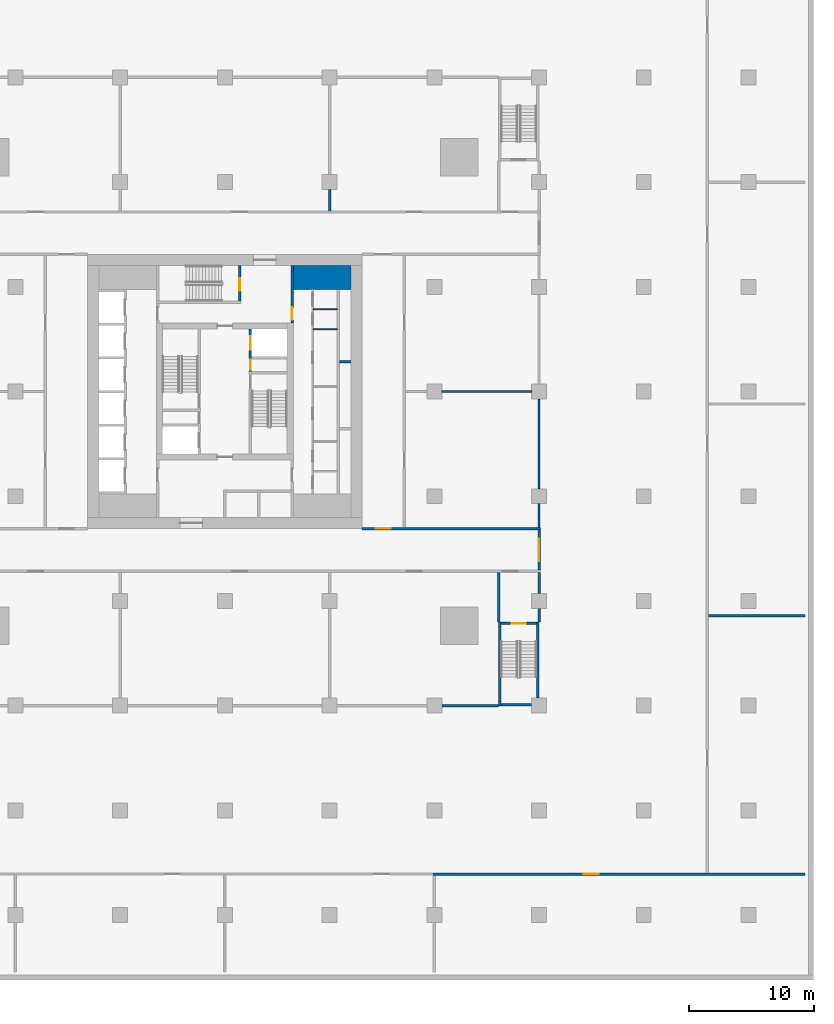
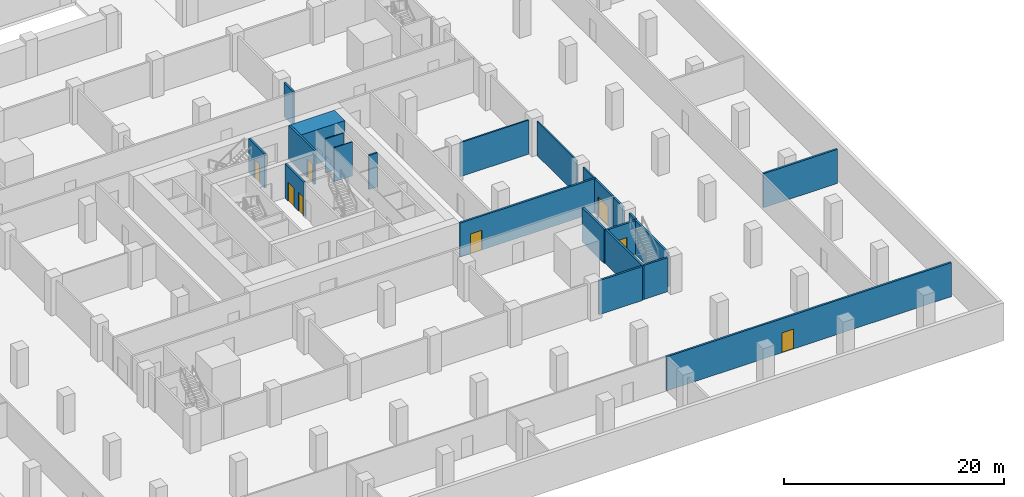
# One storey, part 7 of 16: 23 walls, 8 doors, 8 openings.
"""IFC4 building model written with IfcOpenShell, lengths in metres."""

from ifc_helpers import new_model, si_unit, direction, frame, frame_2d, origin, place, context, subcontext, project, spatial, rectangle, extrude, material, layer, layer_set, type_object, element, fill, save


model = new_model("IFC4")

# Units and contexts
model_context = context("Model", 3, precision=1e-05, world=origin(), true_north=direction((0.0, 1.0)))
body_context = subcontext(model_context, "Body", "Model", "MODEL_VIEW")
ifc_project = project(units=[si_unit("LENGTHUNIT", "METRE"), si_unit("AREAUNIT", "SQUARE_METRE"), si_unit("VOLUMEUNIT", "CUBIC_METRE"), si_unit("PLANEANGLEUNIT", "RADIAN"), si_unit("MASSUNIT", "GRAM", prefix="KILO")], contexts=[model_context])

# Site, building, storey
site_placement = place(None, origin())
site = spatial("IfcSite", under=ifc_project, at=site_placement, CompositionType="ELEMENT")
building_placement = place(site_placement, origin())
building = spatial("IfcBuilding", under=site, at=building_placement, Name="Khepri Terraces", CompositionType="ELEMENT")
storey_placement = place(building_placement, frame((0.0, 0.0, -4.199951171875)))
storey = spatial("IfcBuildingStorey", under=building, at=storey_placement, Name="B1", CompositionType="ELEMENT", Elevation=-4.199951171875)

# Wall
ifc_material_1 = material(Name="Concrete C80/95", Category="concrete")
ifc_layer_1 = layer(ifc_material_1, 1.89990234375, Name="Concrete C80/95", Category="concrete")
ifc_layer_set_1 = layer_set([ifc_layer_1], Name="Concrete C80/95")
wall_type_1 = type_object("IfcWallType", Name="Core wall 1900 C80/95", PredefinedType="SHEAR", material=ifc_layer_set_1)
wall_1_placement = place(storey_placement, frame((5.5, 9.14990234375, 0.0), z_axis=(0.0, 0.0, 1.0), x_axis=(1.0, 0.0, 0.0)))
element("IfcWall", 1, at=wall_1_placement, inside=storey, type_object=wall_type_1, Name="Core wall PR04 B1", PredefinedType="SHEAR", context=body_context, shape_type="SweptSolid", body=[
    extrude(rectangle(XDim=4.60009765625, YDim=1.89990234375, at=frame_2d((2.300048828125, 0.0))), origin(), (0.0, 0.0, 1.0), 3.780029296875),
])

# Wall, opening, door
ifc_layer_2 = layer(ifc_material_1, 0.199951171875, Name="Concrete C80/95", Category="concrete")
ifc_layer_set_2 = layer_set([ifc_layer_2], Name="Concrete C80/95")
wall_type_2 = type_object("IfcWallType", Name="Core wall 200 C80/95", PredefinedType="SHEAR", material=ifc_layer_set_2)
wall_2_placement = place(storey_placement, frame((1.199951171875, 7.25, 0.0), z_axis=(0.0, 0.0, 1.0), x_axis=(0.0, 1.0, 0.0)))
wall_2 = element("IfcWall", 2, at=wall_2_placement, inside=storey, type_object=wall_type_2, Name="Core wall ST07 B1", PredefinedType="SHEAR", context=body_context, shape_type="SweptSolid", body=[
    extrude(rectangle(XDim=2.85009765625, YDim=0.199951171875, at=frame_2d((1.425048828125, 0.0))), origin(), (0.0, 0.0, 1.0), 3.780029296875),
])
opening_1_placement = place(wall_2_placement, frame((0.85009765625, 0.0, 0.0)))
opening_1 = element("IfcOpeningElement", 3, at=opening_1_placement, cuts=wall_2, Name="Opening B1-C15", PredefinedType="OPENING", context=body_context, shape_type="SweptSolid", body=[
    extrude(rectangle(XDim=1.0, YDim=2.10009765625, at=frame_2d((0.5, 1.050048828125))), frame((0.0, 0.10986328125, 0.0), z_axis=(0.0, -1.0, 0.0), x_axis=(1.0, 0.0, 0.0)), (0.0, 0.0, 1.0), 0.219970703125),
])
ifc_material_2 = material(Name="Painted steel", Category="steel")
door_type_1 = type_object("IfcDoorType", Name="DR-CORE-STAIR-1000", OperationType="NOTDEFINED", PredefinedType="DOOR", material=ifc_material_2)
door_1_placement = place(opening_1_placement, origin())
door_1 = element("IfcDoor", 4, at=door_1_placement, inside=storey, type_object=door_type_1, Name="Stair door B1-C15", OperationType="SINGLE_SWING_LEFT", OverallHeight=2.10009765625, OverallWidth=1.0, PredefinedType="DOOR", context=body_context, shape_type="SweptSolid", body=[
    extrude(rectangle(XDim=1.0, YDim=2.10009765625, at=frame_2d((0.5, 1.050048828125))), frame((0.0, 0.02490234375, 0.0), z_axis=(0.0, -1.0, 0.0), x_axis=(1.0, 0.0, 0.0)), (0.0, 0.0, 1.0), 0.050048828125),
])
fill(opening_1, door_1)

# Wall, openings, doors
wall_3_placement = place(storey_placement, frame((2.050048828125, 1.60009765625, 0.0), z_axis=(0.0, 0.0, 1.0), x_axis=(0.0, 1.0, 0.0)))
wall_3 = element("IfcWall", 5, at=wall_3_placement, inside=storey, type_object=wall_type_2, Name="Core wall SH15 B1", PredefinedType="SHEAR", context=body_context, shape_type="SweptSolid", body=[
    extrude(rectangle(XDim=3.39990234375, YDim=0.199951171875, at=frame_2d((1.699951171875, 0.0))), origin(), (0.0, 0.0, 1.0), 3.780029296875),
])
opening_2_placement = place(wall_3_placement, frame((1.75, 0.0, 0.0)))
opening_2 = element("IfcOpeningElement", 6, at=opening_2_placement, cuts=wall_3, Name="Opening B1-C07", PredefinedType="OPENING", context=body_context, shape_type="SweptSolid", body=[
    extrude(rectangle(XDim=1.10009765625, YDim=2.10009765625, at=frame_2d((0.550048828125, 1.050048828125))), frame((0.0, 0.10986328125, 0.0), z_axis=(0.0, -1.0, 0.0), x_axis=(1.0, 0.0, 0.0)), (0.0, 0.0, 1.0), 0.219970703125),
])
opening_3_placement = place(wall_3_placement, frame((0.14990234375, 0.0, 0.0)))
opening_3 = element("IfcOpeningElement", 7, at=opening_3_placement, cuts=wall_3, Name="Opening B1-C11", PredefinedType="OPENING", context=body_context, shape_type="SweptSolid", body=[
    extrude(rectangle(XDim=0.800048828125, YDim=2.10009765625, at=frame_2d((0.39990234375, 1.050048828125))), frame((0.0, 0.10986328125, 0.0), z_axis=(0.0, -1.0, 0.0), x_axis=(1.0, 0.0, 0.0)), (0.0, 0.0, 1.0), 0.219970703125),
])
ifc_material_3 = material(Name="Stainless steel 304", Category="steel")
door_type_2 = type_object("IfcDoorType", Name="DR-CORE-FF-LANDING-1100", OperationType="NOTDEFINED", PredefinedType="DOOR", material=ifc_material_3)
door_2_placement = place(opening_2_placement, origin())
door_2 = element("IfcDoor", 8, at=door_2_placement, inside=storey, type_object=door_type_2, Name="Firefighting lift landing door B1-C07", OperationType="SLIDING_TO_LEFT", OverallHeight=2.10009765625, OverallWidth=1.10009765625, PredefinedType="DOOR", context=body_context, shape_type="SweptSolid", body=[
    extrude(rectangle(XDim=1.10009765625, YDim=2.10009765625, at=frame_2d((0.550048828125, 1.050048828125))), frame((0.0, 0.02490234375, 0.0), z_axis=(0.0, -1.0, 0.0), x_axis=(1.0, 0.0, 0.0)), (0.0, 0.0, 1.0), 0.050048828125),
])
fill(opening_2, door_2)
door_type_3 = type_object("IfcDoorType", Name="DR-CORE-RISER-800", OperationType="NOTDEFINED", PredefinedType="DOOR", material=ifc_material_2)
door_3_placement = place(opening_3_placement, frame((0.800048828125, 0.0, 0.0), z_axis=(0.0, 0.0, 1.0), x_axis=(-1.0, 0.0, 0.0)))
door_3 = element("IfcDoor", 9, at=door_3_placement, inside=storey, type_object=door_type_3, Name="Riser door B1-C11", OperationType="SINGLE_SWING_RIGHT", OverallHeight=2.10009765625, OverallWidth=0.800048828125, PredefinedType="DOOR", context=body_context, shape_type="SweptSolid", body=[
    extrude(rectangle(XDim=0.800048828125, YDim=2.10009765625, at=frame_2d((0.39990234375, 1.050048828125))), frame((0.0, 0.02490234375, 0.0), z_axis=(0.0, -1.0, 0.0), x_axis=(1.0, 0.0, 0.0)), (0.0, 0.0, 1.0), 0.050048828125),
])
fill(opening_3, door_3)

# Walls
wall_4_placement = place(storey_placement, frame((9.199951171875, 2.39990234375, 0.0), z_axis=(0.0, 0.0, 1.0), x_axis=(1.0, 0.0, 0.0)))
element("IfcWall", 10, at=wall_4_placement, inside=storey, type_object=wall_type_2, Name="Core wall SH16 B1", PredefinedType="SHEAR", context=body_context, shape_type="SweptSolid", body=[
    extrude(rectangle(XDim=0.900146484375, YDim=0.199951171875, at=frame_2d((0.4501953125, 0.0))), origin(), (0.0, 0.0, 1.0), 3.780029296875),
])
ifc_material_4 = material(Name="Fire-rated gypsum board partition")
ifc_layer_3 = layer(ifc_material_4, 0.10009765625, Name="Fire-rated gypsum board partition")
ifc_layer_set_3 = layer_set([ifc_layer_3], Name="Fire-rated gypsum board partition")
wall_type_3 = type_object("IfcWallType", Name="WL-CORE-PART-100", PredefinedType="PARTITIONING", material=ifc_layer_set_3)
for number, where, z_axis, x_axis, name in (
    (11, (7.10009765625, 5.0, 0.0), (0.0, 0.0, 1.0), (1.0, 0.0, 0.0), "Core partition PT07 B1"),
    (12, (7.10009765625, 6.60009765625, 0.0), (0.0, 0.0, 1.0), (1.0, 0.0, 0.0), "Core partition PT10 B1"),
):
    element("IfcWall", number, at=place(storey_placement, frame(where, z_axis=z_axis, x_axis=x_axis)), inside=storey, type_object=wall_type_3, Name=name, PredefinedType="PARTITIONING", context=body_context, shape_type="SweptSolid", body=[
        extrude(rectangle(XDim=1.89990234375, YDim=0.10009765625, at=frame_2d((0.949951171875, 0.0))), origin(), (0.0, 0.0, 1.0), 3.780029296875),
    ])

# Wall, opening, door
ifc_layer_4 = layer(ifc_material_4, 0.199951171875, Name="Fire-rated gypsum board partition")
ifc_layer_set_4 = layer_set([ifc_layer_4], Name="Fire-rated gypsum board partition")
wall_type_4 = type_object("IfcWallType", Name="WL-CORE-PART-200", PredefinedType="PARTITIONING", material=ifc_layer_set_4)
wall_5_placement = place(storey_placement, frame((5.39990234375, 5.5, 0.0), z_axis=(0.0, 0.0, 1.0), x_axis=(0.0, 1.0, 0.0)))
wall_5 = element("IfcWall", 13, at=wall_5_placement, inside=storey, type_object=wall_type_4, Name="Core partition PT09 B1", PredefinedType="PARTITIONING", context=body_context, shape_type="SweptSolid", body=[
    extrude(rectangle(XDim=4.60009765625, YDim=0.199951171875, at=frame_2d((2.300048828125, 0.0))), origin(), (0.0, 0.0, 1.0), 3.780029296875),
])
opening_4_placement = place(wall_5_placement, frame((0.25, 0.0, 0.0)))
opening_4 = element("IfcOpeningElement", 14, at=opening_4_placement, cuts=wall_5, Name="Opening B1-C17", PredefinedType="OPENING", context=body_context, shape_type="SweptSolid", body=[
    extrude(rectangle(XDim=1.0, YDim=2.10009765625, at=frame_2d((0.5, 1.050048828125))), frame((0.0, 0.10986328125, 0.0), z_axis=(0.0, -1.0, 0.0), x_axis=(1.0, 0.0, 0.0)), (0.0, 0.0, 1.0), 0.219970703125),
])
door_type_4 = type_object("IfcDoorType", Name="DR-CORE-LOBBY-1000", OperationType="NOTDEFINED", PredefinedType="DOOR", material=ifc_material_2)
door_4_placement = place(opening_4_placement, origin())
door_4 = element("IfcDoor", 15, at=door_4_placement, inside=storey, type_object=door_type_4, Name="Lobby door B1-C17", OperationType="SINGLE_SWING_LEFT", OverallHeight=2.10009765625, OverallWidth=1.0, PredefinedType="DOOR", context=body_context, shape_type="SweptSolid", body=[
    extrude(rectangle(XDim=1.0, YDim=2.10009765625, at=frame_2d((0.5, 1.050048828125))), frame((0.0, 0.02490234375, 0.0), z_axis=(0.0, -1.0, 0.0), x_axis=(1.0, 0.0, 0.0)), (0.0, 0.0, 1.0), 0.050048828125),
])
fill(opening_4, door_4)

# Walls
ifc_material_5 = material(Name="Gypsum board partition")
ifc_layer_5 = layer(ifc_material_5, 0.14990234375, Name="Gypsum board partition")
ifc_layer_set_5 = layer_set([ifc_layer_5], Name="Gypsum board partition")
wall_type_5 = type_object("IfcWallType", Name="WL-POD-150", PredefinedType="PARTITIONING", material=ifc_layer_set_5)
wall_6_placement = place(storey_placement, frame((17.39990234375, 0.0, 0.0), z_axis=(0.0, 0.0, 1.0), x_axis=(1.0, 0.0, 0.0)))
element("IfcWall", 16, at=wall_6_placement, inside=storey, type_object=wall_type_5, Name="Partition B1-PW020", PredefinedType="PARTITIONING", context=body_context, shape_type="SweptSolid", body=[
    extrude(rectangle(XDim=7.2001953125, YDim=0.14990234375, at=frame_2d((3.60009765625, 0.0))), origin(), (0.0, 0.0, 1.0), 3.780029296875),
])
wall_7_placement = place(storey_placement, frame((25.199951171875, -10.89990234375, 0.0), z_axis=(0.0, 0.0, 1.0), x_axis=(0.0, 1.0, 0.0)))
element("IfcWall", 17, at=wall_7_placement, inside=storey, type_object=wall_type_5, Name="Partition B1-PW099", PredefinedType="PARTITIONING", context=body_context, shape_type="SweptSolid", body=[
    extrude(rectangle(XDim=1.89990234375, YDim=0.14990234375, at=frame_2d((0.949951171875, 0.0))), origin(), (0.0, 0.0, 1.0), 3.780029296875),
])
wall_8_placement = place(storey_placement, frame((25.199951171875, -7.800048828125, 0.0), z_axis=(0.0, 0.0, 1.0), x_axis=(0.0, 1.0, 0.0)))
element("IfcWall", 18, at=wall_8_placement, inside=storey, type_object=wall_type_5, Name="Partition B1-PW100", PredefinedType="PARTITIONING", context=body_context, shape_type="SweptSolid", body=[
    extrude(rectangle(XDim=7.199951171875, YDim=0.14990234375, at=frame_2d((3.60009765625, 0.0))), origin(), (0.0, 0.0, 1.0), 3.780029296875),
])

# Wall, opening, door
ifc_material_6 = material(Name="Fire-rated block wall")
ifc_layer_6 = layer(ifc_material_6, 0.199951171875, Name="Fire-rated block wall")
ifc_layer_set_6 = layer_set([ifc_layer_6], Name="Fire-rated block wall")
wall_type_6 = type_object("IfcWallType", Name="WL-POD-200-EI120", PredefinedType="PARTITIONING", material=ifc_layer_set_6)
wall_9_placement = place(storey_placement, frame((16.699951171875, -38.699951171875, 0.0), z_axis=(0.0, 0.0, 1.0), x_axis=(1.0, 0.0, 0.0)))
wall_9 = element("IfcWall", 19, at=wall_9_placement, inside=storey, type_object=wall_type_6, Name="Partition B1-PW002", PredefinedType="PARTITIONING", context=body_context, shape_type="SweptSolid", body=[
    extrude(rectangle(XDim=29.85009765625, YDim=0.199951171875, at=frame_2d((14.925048828125, 0.0))), origin(), (0.0, 0.0, 1.0), 3.780029296875),
])
opening_5_placement = place(wall_9_placement, frame((12.10009765625, 0.0, 0.0)))
opening_5 = element("IfcOpeningElement", 20, at=opening_5_placement, cuts=wall_9, Name="Opening B1-P04", PredefinedType="OPENING", context=body_context, shape_type="SweptSolid", body=[
    extrude(rectangle(XDim=1.199951171875, YDim=2.199951171875, at=frame_2d((0.60009765625, 1.10009765625))), frame((0.0, 0.10986328125, 0.0), z_axis=(0.0, -1.0, 0.0), x_axis=(1.0, 0.0, 0.0)), (0.0, 0.0, 1.0), 0.219970703125),
])
door_type_5 = type_object("IfcDoorType", Name="DR-POD-PLANT-1200", OperationType="NOTDEFINED", PredefinedType="DOOR", material=ifc_material_2)
door_5_placement = place(opening_5_placement, origin())
door_5 = element("IfcDoor", 21, at=door_5_placement, inside=storey, type_object=door_type_5, Name="Plant room door B1-P04", OperationType="SINGLE_SWING_RIGHT", OverallHeight=2.199951171875, OverallWidth=1.199951171875, PredefinedType="DOOR", context=body_context, shape_type="SweptSolid", body=[
    extrude(rectangle(XDim=1.199951171875, YDim=2.199951171875, at=frame_2d((0.60009765625, 1.10009765625))), frame((0.0, 0.02490234375, 0.0), z_axis=(0.0, -1.0, 0.0), x_axis=(1.0, 0.0, 0.0)), (0.0, 0.0, 1.0), 0.050048828125),
])
fill(opening_5, door_5)

# Walls
wall_10_placement = place(storey_placement, frame((17.39990234375, -25.199951171875, 0.0), z_axis=(0.0, 0.0, 1.0), x_axis=(1.0, 0.0, 0.0)))
element("IfcWall", 22, at=wall_10_placement, inside=storey, type_object=wall_type_6, Name="Partition B1-PW008", PredefinedType="PARTITIONING", context=body_context, shape_type="SweptSolid", body=[
    extrude(rectangle(XDim=4.550048828125, YDim=0.199951171875, at=frame_2d((2.27490234375, 0.0))), origin(), (0.0, 0.0, 1.0), 3.780029296875),
])
wall_11_placement = place(storey_placement, frame((38.800048828125, -18.0, 0.0), z_axis=(0.0, 0.0, 1.0), x_axis=(1.0, 0.0, 0.0)))
element("IfcWall", 23, at=wall_11_placement, inside=storey, type_object=wall_type_6, Name="Partition B1-PW009", PredefinedType="PARTITIONING", context=body_context, shape_type="SweptSolid", body=[
    extrude(rectangle(XDim=7.75, YDim=0.199951171875, at=frame_2d((3.875, 0.0))), origin(), (0.0, 0.0, 1.0), 3.780029296875),
])
wall_12_placement = place(storey_placement, frame((8.39990234375, 14.5, 0.0), z_axis=(0.0, 0.0, 1.0), x_axis=(0.0, 1.0, 0.0)))
element("IfcWall", 24, at=wall_12_placement, inside=storey, type_object=wall_type_6, Name="Partition B1-PW089", PredefinedType="PARTITIONING", context=body_context, shape_type="SweptSolid", body=[
    extrude(rectangle(XDim=1.699951171875, YDim=0.199951171875, at=frame_2d((0.85009765625, 0.0))), origin(), (0.0, 0.0, 1.0), 3.780029296875),
])
wall_13_placement = place(storey_placement, frame((21.949951171875, -18.5, 0.0), z_axis=(0.0, 0.0, 1.0), x_axis=(0.0, 1.0, 0.0)))
element("IfcWall", 25, at=wall_13_placement, inside=storey, type_object=wall_type_6, Name="Partition B1-PW094", PredefinedType="PARTITIONING", context=body_context, shape_type="SweptSolid", body=[
    extrude(rectangle(XDim=4.0, YDim=0.199951171875, at=frame_2d((2.0, 0.0))), origin(), (0.0, 0.0, 1.0), 3.780029296875),
])
wall_14_placement = place(storey_placement, frame((25.199951171875, -18.5, 0.0), z_axis=(0.0, 0.0, 1.0), x_axis=(0.0, 1.0, 0.0)))
element("IfcWall", 26, at=wall_14_placement, inside=storey, type_object=wall_type_6, Name="Partition B1-PW096", PredefinedType="PARTITIONING", context=body_context, shape_type="SweptSolid", body=[
    extrude(rectangle(XDim=1.10009765625, YDim=0.199951171875, at=frame_2d((0.550048828125, 0.0))), origin(), (0.0, 0.0, 1.0), 3.780029296875),
])
wall_15_placement = place(storey_placement, frame((25.199951171875, -16.199951171875, 0.0), z_axis=(0.0, 0.0, 1.0), x_axis=(0.0, 1.0, 0.0)))
element("IfcWall", 27, at=wall_15_placement, inside=storey, type_object=wall_type_6, Name="Partition B1-PW097", PredefinedType="PARTITIONING", context=body_context, shape_type="SweptSolid", body=[
    extrude(rectangle(XDim=1.699951171875, YDim=0.199951171875, at=frame_2d((0.85009765625, 0.0))), origin(), (0.0, 0.0, 1.0), 3.780029296875),
])

# Wall, opening, door
ifc_layer_7 = layer(ifc_material_6, 0.199951171875, Name="Fire-rated block wall")
ifc_layer_set_7 = layer_set([ifc_layer_7], Name="Fire-rated block wall")
wall_type_7 = type_object("IfcWallType", Name="WL-POD-200-EI60", PredefinedType="PARTITIONING", material=ifc_layer_set_7)
wall_16_placement = place(storey_placement, frame((11.0, -11.0, 0.0), z_axis=(0.0, 0.0, 1.0), x_axis=(1.0, 0.0, 0.0)))
wall_16 = element("IfcWall", 28, at=wall_16_placement, inside=storey, type_object=wall_type_7, Name="Partition B1-PW013", PredefinedType="PARTITIONING", context=body_context, shape_type="SweptSolid", body=[
    extrude(rectangle(XDim=14.300048828125, YDim=0.199951171875, at=frame_2d((7.14990234375, 0.0))), origin(), (0.0, 0.0, 1.0), 3.780029296875),
])
opening_6_placement = place(wall_16_placement, frame((1.10009765625, 0.0, 0.0)))
opening_6 = element("IfcOpeningElement", 29, at=opening_6_placement, cuts=wall_16, Name="Opening B1-P15", PredefinedType="OPENING", context=body_context, shape_type="SweptSolid", body=[
    extrude(rectangle(XDim=1.199951171875, YDim=2.199951171875, at=frame_2d((0.60009765625, 1.10009765625))), frame((0.0, 0.10986328125, 0.0), z_axis=(0.0, -1.0, 0.0), x_axis=(1.0, 0.0, 0.0)), (0.0, 0.0, 1.0), 0.219970703125),
])
door_type_6 = type_object("IfcDoorType", Name="DR-POD-FIRE-1200", OperationType="NOTDEFINED", PredefinedType="DOOR", material=ifc_material_2)
door_6_placement = place(opening_6_placement, origin())
door_6 = element("IfcDoor", 30, at=door_6_placement, inside=storey, type_object=door_type_6, Name="Fire door B1-P15", OperationType="SINGLE_SWING_RIGHT", OverallHeight=2.199951171875, OverallWidth=1.199951171875, PredefinedType="DOOR", context=body_context, shape_type="SweptSolid", body=[
    extrude(rectangle(XDim=1.199951171875, YDim=2.199951171875, at=frame_2d((0.60009765625, 1.10009765625))), frame((0.0, 0.02490234375, 0.0), z_axis=(0.0, -1.0, 0.0), x_axis=(1.0, 0.0, 0.0)), (0.0, 0.0, 1.0), 0.050048828125),
])
fill(opening_6, door_6)

wall_17_placement = place(storey_placement, frame((25.199951171875, -14.300048828125, 0.0), z_axis=(0.0, 0.0, 1.0), x_axis=(0.0, 1.0, 0.0)))
wall_17 = element("IfcWall", 31, at=wall_17_placement, inside=storey, type_object=wall_type_7, Name="Partition B1-PW098", PredefinedType="PARTITIONING", context=body_context, shape_type="SweptSolid", body=[
    extrude(rectangle(XDim=3.199951171875, YDim=0.199951171875, at=frame_2d((1.60009765625, 0.0))), origin(), (0.0, 0.0, 1.0), 3.780029296875),
])
opening_7_placement = place(wall_17_placement, frame((0.699951171875, 0.0, 0.0)))
opening_7 = element("IfcOpeningElement", 32, at=opening_7_placement, cuts=wall_17, Name="Opening B1-P13", PredefinedType="OPENING", context=body_context, shape_type="SweptSolid", body=[
    extrude(rectangle(XDim=1.800048828125, YDim=2.199951171875, at=frame_2d((0.89990234375, 1.10009765625))), frame((0.0, 0.10986328125, 0.0), z_axis=(0.0, -1.0, 0.0), x_axis=(1.0, 0.0, 0.0)), (0.0, 0.0, 1.0), 0.219970703125),
])
door_type_7 = type_object("IfcDoorType", Name="DR-POD-FIRE-PAIR-1800", OperationType="DOUBLE_DOOR_SINGLE_SWING", PredefinedType="DOOR", material=ifc_material_2)
door_7_placement = place(opening_7_placement, origin())
door_7 = element("IfcDoor", 33, at=door_7_placement, inside=storey, type_object=door_type_7, Name="Fire door pair B1-P13", OperationType="DOUBLE_DOOR_SINGLE_SWING", OverallHeight=2.199951171875, OverallWidth=1.800048828125, PredefinedType="DOOR", context=body_context, shape_type="SweptSolid", body=[
    extrude(rectangle(XDim=1.800048828125, YDim=2.199951171875, at=frame_2d((0.89990234375, 1.10009765625))), frame((0.0, 0.02490234375, 0.0), z_axis=(0.0, -1.0, 0.0), x_axis=(1.0, 0.0, 0.0)), (0.0, 0.0, 1.0), 0.050048828125),
])
fill(opening_7, door_7)

# Walls
ifc_material_7 = material(Name="Concrete C40/50", Category="concrete")
ifc_layer_8 = layer(ifc_material_7, 0.199951171875, Name="Concrete C40/50", Category="concrete")
ifc_layer_set_8 = layer_set([ifc_layer_8], Name="Concrete C40/50")
wall_type_8 = type_object("IfcWallType", Name="WL-POD-STAIR-200", PredefinedType="SOLIDWALL", material=ifc_layer_set_8)
wall_18_placement = place(storey_placement, frame((22.050048828125, -25.239990234375, 0.0), z_axis=(0.0, 0.0, 1.0), x_axis=(0.0, 1.0, 0.0)))
element("IfcWall", 34, at=wall_18_placement, inside=storey, type_object=wall_type_8, Name="Stair enclosure PS-3 B1-W", PredefinedType="SOLIDWALL", context=body_context, shape_type="SweptSolid", body=[
    extrude(rectangle(XDim=6.739990234375, YDim=0.199951171875, at=frame_2d((3.3701171875, 0.0))), origin(), (0.0, 0.0, 1.0), 3.780029296875),
])
wall_19_placement = place(storey_placement, frame((25.10009765625, -24.60009765625, 0.0), z_axis=(0.0, 0.0, 1.0), x_axis=(0.0, 1.0, 0.0)))
element("IfcWall", 35, at=wall_19_placement, inside=storey, type_object=wall_type_8, Name="Stair enclosure PS-3 B1-E", PredefinedType="SOLIDWALL", context=body_context, shape_type="SweptSolid", body=[
    extrude(rectangle(XDim=6.10009765625, YDim=0.199951171875, at=frame_2d((3.050048828125, 0.0))), origin(), (0.0, 0.0, 1.0), 3.780029296875),
])
wall_20_placement = place(storey_placement, frame((22.14990234375, -25.139892578125, 0.0), z_axis=(0.0, 0.0, 1.0), x_axis=(1.0, 0.0, 0.0)))
element("IfcWall", 36, at=wall_20_placement, inside=storey, type_object=wall_type_8, Name="Stair enclosure PS-3 B1-S", PredefinedType="SOLIDWALL", context=body_context, shape_type="SweptSolid", body=[
    extrude(rectangle(XDim=2.4501953125, YDim=0.199951171875, at=frame_2d((1.22509765625, 0.0))), origin(), (0.0, 0.0, 1.0), 3.780029296875),
])

# Wall, opening, door
wall_21_placement = place(storey_placement, frame((22.14990234375, -18.60009765625, 0.0), z_axis=(0.0, 0.0, 1.0), x_axis=(1.0, 0.0, 0.0)))
wall_21 = element("IfcWall", 37, at=wall_21_placement, inside=storey, type_object=wall_type_8, Name="Stair enclosure PS-3 B1-N", PredefinedType="SOLIDWALL", context=body_context, shape_type="SweptSolid", body=[
    extrude(rectangle(XDim=2.85009765625, YDim=0.199951171875, at=frame_2d((1.425048828125, 0.0))), origin(), (0.0, 0.0, 1.0), 3.780029296875),
])
opening_8_placement = place(wall_21_placement, frame((0.875, 0.0, 0.0)))
opening_8 = element("IfcOpeningElement", 38, at=opening_8_placement, cuts=wall_21, Name="Opening B1-PS-3D", PredefinedType="OPENING", context=body_context, shape_type="SweptSolid", body=[
    extrude(rectangle(XDim=1.10009765625, YDim=2.199951171875, at=frame_2d((0.550048828125, 1.10009765625))), frame((0.0, 0.10986328125, 0.0), z_axis=(0.0, -1.0, 0.0), x_axis=(1.0, 0.0, 0.0)), (0.0, 0.0, 1.0), 0.219970703125),
])
door_type_8 = type_object("IfcDoorType", Name="DR-POD-STAIR-1100", OperationType="NOTDEFINED", PredefinedType="DOOR", material=ifc_material_2)
door_8_placement = place(opening_8_placement, origin())
door_8 = element("IfcDoor", 39, at=door_8_placement, inside=storey, type_object=door_type_8, Name="Stair door B1-PS-3D", OperationType="SINGLE_SWING_LEFT", OverallHeight=2.199951171875, OverallWidth=1.10009765625, PredefinedType="DOOR", context=body_context, shape_type="SweptSolid", body=[
    extrude(rectangle(XDim=1.10009765625, YDim=2.199951171875, at=frame_2d((0.550048828125, 1.10009765625))), frame((0.0, 0.02490234375, 0.0), z_axis=(0.0, -1.0, 0.0), x_axis=(1.0, 0.0, 0.0)), (0.0, 0.0, 1.0), 0.050048828125),
])
fill(opening_8, door_8)

save(model, "model.ifc")
